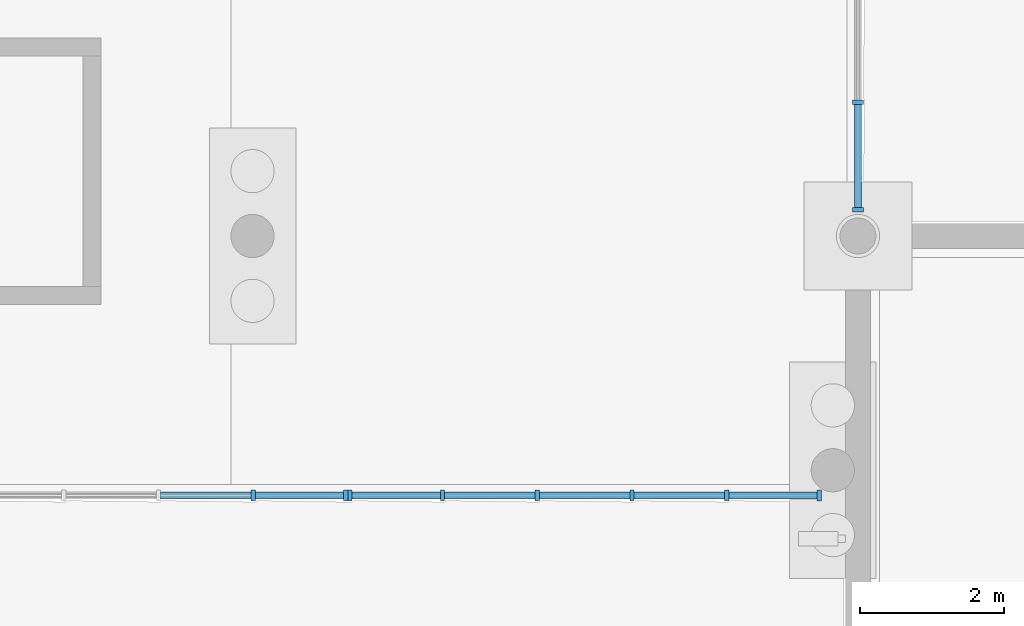
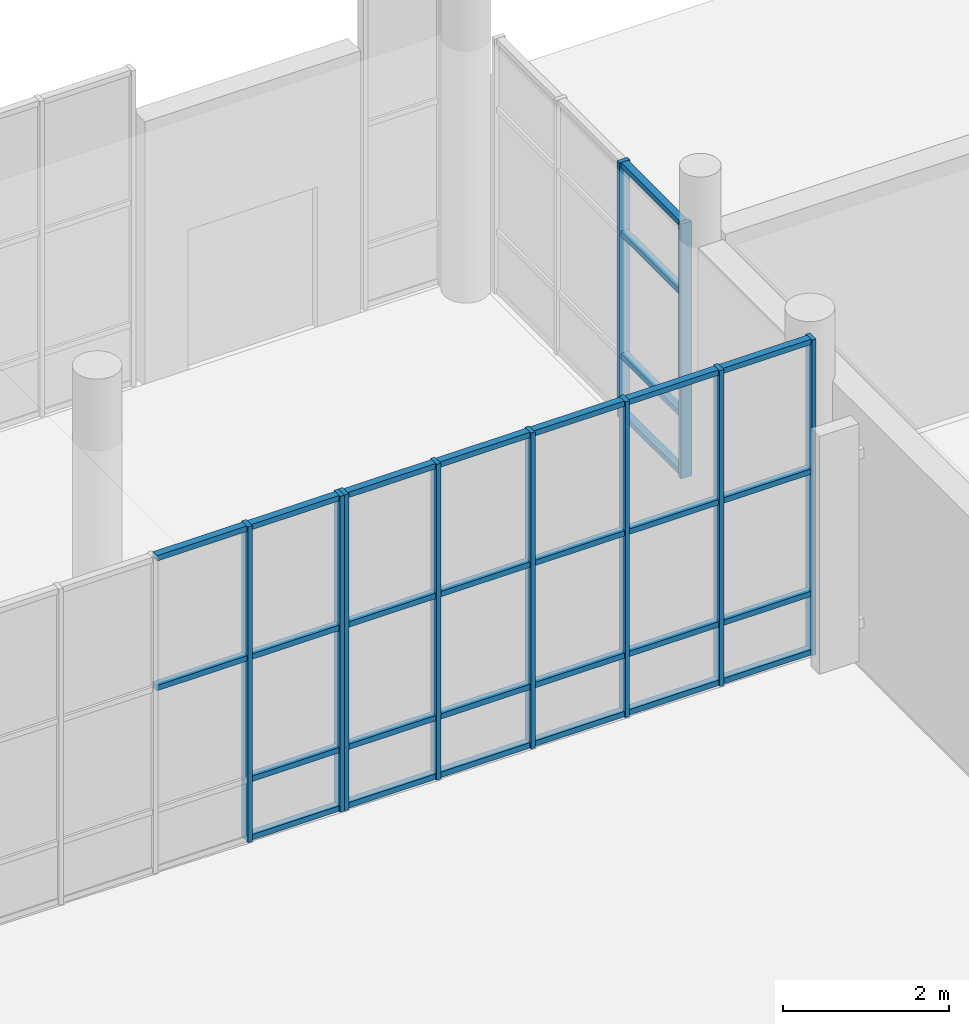
# One storey, part 34 of 110: 40 members, 3 elements without a shape of their own.
"""IFC4 building model written with IfcOpenShell, lengths in metres."""

from ifc_helpers import new_model, si_unit, direction, frame, origin, origin_2d, place, context, subcontext, project, spatial, rectangle, extrude, material, layer, layer_set, material_profile, profile_set, type_object, element, aggregate, save


model = new_model("IFC4")

# Units and contexts
model_context = context("Model", 3, precision=1e-05, world=origin(), true_north=direction((0.0, 1.0)))
body_context = subcontext(model_context, "Body", "Model", "MODEL_VIEW")
ifc_project = project(units=[si_unit("LENGTHUNIT", "METRE"), si_unit("AREAUNIT", "SQUARE_METRE"), si_unit("VOLUMEUNIT", "CUBIC_METRE"), si_unit("PLANEANGLEUNIT", "RADIAN"), si_unit("MASSUNIT", "GRAM", prefix="KILO")], contexts=[model_context])

# Site, building, storey
site_placement = place(None, origin())
site = spatial("IfcSite", under=ifc_project, at=site_placement, CompositionType="ELEMENT")
building_placement = place(site_placement, origin())
building = spatial("IfcBuilding", under=site, at=building_placement, Name="Larchfold Concert Hall", CompositionType="ELEMENT")
storey_placement = place(building_placement, origin())
storey = spatial("IfcBuildingStorey", under=building, at=storey_placement, Name="L00", CompositionType="ELEMENT", Elevation=0.0)

# Curtain wall, members
ifc_material_1 = material(Name="Anodised graphite aluminium curtain wall", Category="aluminium")
ifc_layer = layer(ifc_material_1, 0.14990234375)
ifc_layer_set = layer_set([ifc_layer], Name="Anodised graphite aluminium curtain wall")
curtain_wall_type = type_object("IfcCurtainWallType", Name="Curtain wall WG", PredefinedType="NOTDEFINED", material=ifc_layer_set)
curtain_wall_1_placement = place(storey_placement, origin())
curtain_wall_1 = element("IfcCurtainWall", 1, at=curtain_wall_1_placement, inside=storey, type_object=curtain_wall_type, Name="Curtain wall CW0093", PredefinedType="NOTDEFINED")
ifc_material_2 = material(Name="Anodised graphite aluminium mullion", Category="aluminium")
ifc_material_profile_1 = material_profile(ifc_material_2, rectangle(XDim=0.14990234375, YDim=0.06005859375, at=origin_2d()))
ifc_profile_set_1 = profile_set([ifc_material_profile_1], Name="Anodised graphite aluminium mullion")
member_type_1 = type_object("IfcMemberType", Name="Aluminium mullion 60x150", PredefinedType="MULLION", material=ifc_profile_set_1)
member_1_placement = place(storey_placement, frame((67.808349609375, 123.0, 0.0), z_axis=(0.0, 0.0, 1.0), x_axis=(0.0, 1.0, 0.0)))
member_1 = element("IfcMember", 2, at=member_1_placement, type_object=member_type_1, Name="CW0093 mullion 5", PredefinedType="MULLION", context=body_context, shape_type="SweptSolid", body=[
    extrude(rectangle(XDim=0.14990234375, YDim=0.06005859375, at=origin_2d()), origin(), (0.0, 0.0, 1.0), 4.64990234375),
])
member_2_placement = place(storey_placement, frame((69.09228515625, 123.0, 0.0), z_axis=(0.0, 0.0, 1.0), x_axis=(0.0, 1.0, 0.0)))
member_2 = element("IfcMember", 3, at=member_2_placement, type_object=member_type_1, Name="CW0093 mullion 6", PredefinedType="MULLION", context=body_context, shape_type="SweptSolid", body=[
    extrude(rectangle(XDim=0.14990234375, YDim=0.06005859375, at=origin_2d()), origin(), (0.0, 0.0, 1.0), 4.64990234375),
])

curtain_wall_2_placement = place(storey_placement, origin())
curtain_wall_2 = element("IfcCurtainWall", 4, at=curtain_wall_2_placement, inside=storey, type_object=curtain_wall_type, Name="Curtain wall CW0094", PredefinedType="NOTDEFINED")
member_3_placement = place(storey_placement, frame((69.15234375, 123.0, 0.0), z_axis=(0.0, 0.0, 1.0), x_axis=(0.0, 1.0, 0.0)))
member_3 = element("IfcMember", 5, at=member_3_placement, type_object=member_type_1, Name="CW0094 mullion 1", PredefinedType="MULLION", context=body_context, shape_type="SweptSolid", body=[
    extrude(rectangle(XDim=0.14990234375, YDim=0.06005859375, at=origin_2d()), origin(), (0.0, 0.0, 1.0), 4.64990234375),
])
member_4_placement = place(storey_placement, frame((70.436279296875, 123.0, 0.0), z_axis=(0.0, 0.0, 1.0), x_axis=(0.0, 1.0, 0.0)))
member_4 = element("IfcMember", 6, at=member_4_placement, type_object=member_type_1, Name="CW0094 mullion 2", PredefinedType="MULLION", context=body_context, shape_type="SweptSolid", body=[
    extrude(rectangle(XDim=0.14990234375, YDim=0.06005859375, at=origin_2d()), origin(), (0.0, 0.0, 1.0), 4.64990234375),
])
member_5_placement = place(storey_placement, frame((71.75048828125, 123.0, 0.0), z_axis=(0.0, 0.0, 1.0), x_axis=(0.0, 1.0, 0.0)))
member_5 = element("IfcMember", 7, at=member_5_placement, type_object=member_type_1, Name="CW0094 mullion 3", PredefinedType="MULLION", context=body_context, shape_type="SweptSolid", body=[
    extrude(rectangle(XDim=0.14990234375, YDim=0.06005859375, at=origin_2d()), origin(), (0.0, 0.0, 1.0), 4.64990234375),
])
member_6_placement = place(storey_placement, frame((73.064453125, 123.0, 0.0), z_axis=(0.0, 0.0, 1.0), x_axis=(0.0, 1.0, 0.0)))
member_6 = element("IfcMember", 8, at=member_6_placement, type_object=member_type_1, Name="CW0094 mullion 4", PredefinedType="MULLION", context=body_context, shape_type="SweptSolid", body=[
    extrude(rectangle(XDim=0.14990234375, YDim=0.06005859375, at=origin_2d()), origin(), (0.0, 0.0, 1.0), 4.64990234375),
])
member_7_placement = place(storey_placement, frame((74.378662109375, 123.0, 0.0), z_axis=(0.0, 0.0, 1.0), x_axis=(0.0, 1.0, 0.0)))
member_7 = element("IfcMember", 9, at=member_7_placement, type_object=member_type_1, Name="CW0094 mullion 5", PredefinedType="MULLION", context=body_context, shape_type="SweptSolid", body=[
    extrude(rectangle(XDim=0.14990234375, YDim=0.06005859375, at=origin_2d()), origin(), (0.0, 0.0, 1.0), 4.64990234375),
])
member_8_placement = place(storey_placement, frame((75.66259765625, 123.0, 0.0), z_axis=(0.0, 0.0, 1.0), x_axis=(0.0, 1.0, 0.0)))
member_8 = element("IfcMember", 10, at=member_8_placement, type_object=member_type_1, Name="CW0094 mullion 6", PredefinedType="MULLION", context=body_context, shape_type="SweptSolid", body=[
    extrude(rectangle(XDim=0.14990234375, YDim=0.06005859375, at=origin_2d()), origin(), (0.0, 0.0, 1.0), 4.64990234375),
])

curtain_wall_3_placement = place(storey_placement, origin())
curtain_wall_3 = element("IfcCurtainWall", 11, at=curtain_wall_3_placement, inside=storey, type_object=curtain_wall_type, Name="Curtain wall CW0095", PredefinedType="NOTDEFINED")
member_9_placement = place(storey_placement, frame((76.199951171875, 126.966064453125, 0.0), z_axis=(0.0, 0.0, 1.0), x_axis=(-1.0, 0.0, 0.0)))
member_9 = element("IfcMember", 12, at=member_9_placement, type_object=member_type_1, Name="CW0095 mullion 1", PredefinedType="MULLION", context=body_context, shape_type="SweptSolid", body=[
    extrude(rectangle(XDim=0.14990234375, YDim=0.06005859375, at=origin_2d()), origin(), (0.0, 0.0, 1.0), 3.75),
])
member_10_placement = place(storey_placement, frame((76.199951171875, 128.45458984375, 0.0), z_axis=(0.0, 0.0, 1.0), x_axis=(-1.0, 0.0, 0.0)))
member_10 = element("IfcMember", 13, at=member_10_placement, type_object=member_type_1, Name="CW0095 mullion 2", PredefinedType="MULLION", context=body_context, shape_type="SweptSolid", body=[
    extrude(rectangle(XDim=0.14990234375, YDim=0.06005859375, at=origin_2d()), origin(), (0.0, 0.0, 1.0), 3.75),
])

# Member
ifc_material_3 = material(Name="Anodised graphite aluminium transom", Category="aluminium")
ifc_material_profile_2 = material_profile(ifc_material_3, rectangle(XDim=0.10009765625, YDim=0.080078125, at=origin_2d()))
ifc_profile_set_2 = profile_set([ifc_material_profile_2], Name="Anodised graphite aluminium transom")
member_type_2 = type_object("IfcMemberType", Name="Aluminium transom 80x100", PredefinedType="USERDEFINED", material=ifc_profile_set_2)
member_11_placement = place(storey_placement, frame((66.524169921875, 123.0, 2.699951171875), z_axis=(1.0, 0.0, 0.0), x_axis=(0.0, 1.0, 0.0)))
member_11 = element("IfcMember", 14, at=member_11_placement, type_object=member_type_2, Name="CW0093 transom 4.3", ObjectType="TRANSOM", PredefinedType="USERDEFINED", context=body_context, shape_type="SweptSolid", body=[
    extrude(rectangle(XDim=0.10009765625, YDim=0.080078125, at=origin_2d()), origin(), (0.0, 0.0, 1.0), 1.254150390625),
])

member_12_placement = place(storey_placement, frame((66.524169921875, 123.0, 4.60986328125), z_axis=(1.0, 0.0, 0.0), x_axis=(0.0, 1.0, 0.0)))
member_12 = element("IfcMember", 15, at=member_12_placement, type_object=member_type_2, Name="CW0093 transom 4.4", ObjectType="TRANSOM", PredefinedType="USERDEFINED", context=body_context, shape_type="SweptSolid", body=[
    extrude(rectangle(XDim=0.10009765625, YDim=0.080078125, at=origin_2d()), origin(), (0.0, 0.0, 1.0), 1.254150390625),
])

member_13_placement = place(storey_placement, frame((67.83837890625, 123.0, 0.0400390625), z_axis=(1.0, 0.0, 0.0), x_axis=(0.0, 1.0, 0.0)))
member_13 = element("IfcMember", 16, at=member_13_placement, type_object=member_type_2, Name="CW0093 transom 5.1", ObjectType="TRANSOM", PredefinedType="USERDEFINED", context=body_context, shape_type="SweptSolid", body=[
    extrude(rectangle(XDim=0.10009765625, YDim=0.080078125, at=origin_2d()), origin(), (0.0, 0.0, 1.0), 1.223876953125),
])

member_14_placement = place(storey_placement, frame((67.83837890625, 123.0, 0.89990234375), z_axis=(1.0, 0.0, 0.0), x_axis=(0.0, 1.0, 0.0)))
member_14 = element("IfcMember", 17, at=member_14_placement, type_object=member_type_2, Name="CW0093 transom 5.2", ObjectType="TRANSOM", PredefinedType="USERDEFINED", context=body_context, shape_type="SweptSolid", body=[
    extrude(rectangle(XDim=0.10009765625, YDim=0.080078125, at=origin_2d()), origin(), (0.0, 0.0, 1.0), 1.223876953125),
])

member_15_placement = place(storey_placement, frame((67.83837890625, 123.0, 2.699951171875), z_axis=(1.0, 0.0, 0.0), x_axis=(0.0, 1.0, 0.0)))
member_15 = element("IfcMember", 18, at=member_15_placement, type_object=member_type_2, Name="CW0093 transom 5.3", ObjectType="TRANSOM", PredefinedType="USERDEFINED", context=body_context, shape_type="SweptSolid", body=[
    extrude(rectangle(XDim=0.10009765625, YDim=0.080078125, at=origin_2d()), origin(), (0.0, 0.0, 1.0), 1.223876953125),
])

member_16_placement = place(storey_placement, frame((67.83837890625, 123.0, 4.60986328125), z_axis=(1.0, 0.0, 0.0), x_axis=(0.0, 1.0, 0.0)))
member_16 = element("IfcMember", 19, at=member_16_placement, type_object=member_type_2, Name="CW0093 transom 5.4", ObjectType="TRANSOM", PredefinedType="USERDEFINED", context=body_context, shape_type="SweptSolid", body=[
    extrude(rectangle(XDim=0.10009765625, YDim=0.080078125, at=origin_2d()), origin(), (0.0, 0.0, 1.0), 1.223876953125),
])

aggregate(curtain_wall_1, [member_1, member_2, member_11, member_12, member_13, member_14, member_15, member_16])

member_17_placement = place(storey_placement, frame((69.182373046875, 123.0, 0.0400390625), z_axis=(1.0, 0.0, 0.0), x_axis=(0.0, 1.0, 0.0)))
member_17 = element("IfcMember", 20, at=member_17_placement, type_object=member_type_2, Name="CW0094 transom 1.1", ObjectType="TRANSOM", PredefinedType="USERDEFINED", context=body_context, shape_type="SweptSolid", body=[
    extrude(rectangle(XDim=0.10009765625, YDim=0.080078125, at=origin_2d()), origin(), (0.0, 0.0, 1.0), 1.22412109375),
])

member_18_placement = place(storey_placement, frame((69.182373046875, 123.0, 0.89990234375), z_axis=(1.0, 0.0, 0.0), x_axis=(0.0, 1.0, 0.0)))
member_18 = element("IfcMember", 21, at=member_18_placement, type_object=member_type_2, Name="CW0094 transom 1.2", ObjectType="TRANSOM", PredefinedType="USERDEFINED", context=body_context, shape_type="SweptSolid", body=[
    extrude(rectangle(XDim=0.10009765625, YDim=0.080078125, at=origin_2d()), origin(), (0.0, 0.0, 1.0), 1.22412109375),
])

member_19_placement = place(storey_placement, frame((69.182373046875, 123.0, 2.699951171875), z_axis=(1.0, 0.0, 0.0), x_axis=(0.0, 1.0, 0.0)))
member_19 = element("IfcMember", 22, at=member_19_placement, type_object=member_type_2, Name="CW0094 transom 1.3", ObjectType="TRANSOM", PredefinedType="USERDEFINED", context=body_context, shape_type="SweptSolid", body=[
    extrude(rectangle(XDim=0.10009765625, YDim=0.080078125, at=origin_2d()), origin(), (0.0, 0.0, 1.0), 1.22412109375),
])

member_20_placement = place(storey_placement, frame((69.182373046875, 123.0, 4.60986328125), z_axis=(1.0, 0.0, 0.0), x_axis=(0.0, 1.0, 0.0)))
member_20 = element("IfcMember", 23, at=member_20_placement, type_object=member_type_2, Name="CW0094 transom 1.4", ObjectType="TRANSOM", PredefinedType="USERDEFINED", context=body_context, shape_type="SweptSolid", body=[
    extrude(rectangle(XDim=0.10009765625, YDim=0.080078125, at=origin_2d()), origin(), (0.0, 0.0, 1.0), 1.22412109375),
])

member_21_placement = place(storey_placement, frame((70.46630859375, 123.0, 0.0400390625), z_axis=(1.0, 0.0, 0.0), x_axis=(0.0, 1.0, 0.0)))
member_21 = element("IfcMember", 24, at=member_21_placement, type_object=member_type_2, Name="CW0094 transom 2.1", ObjectType="TRANSOM", PredefinedType="USERDEFINED", context=body_context, shape_type="SweptSolid", body=[
    extrude(rectangle(XDim=0.10009765625, YDim=0.080078125, at=origin_2d()), origin(), (0.0, 0.0, 1.0), 1.254150390625),
])

member_22_placement = place(storey_placement, frame((70.46630859375, 123.0, 0.89990234375), z_axis=(1.0, 0.0, 0.0), x_axis=(0.0, 1.0, 0.0)))
member_22 = element("IfcMember", 25, at=member_22_placement, type_object=member_type_2, Name="CW0094 transom 2.2", ObjectType="TRANSOM", PredefinedType="USERDEFINED", context=body_context, shape_type="SweptSolid", body=[
    extrude(rectangle(XDim=0.10009765625, YDim=0.080078125, at=origin_2d()), origin(), (0.0, 0.0, 1.0), 1.254150390625),
])

member_23_placement = place(storey_placement, frame((70.46630859375, 123.0, 2.699951171875), z_axis=(1.0, 0.0, 0.0), x_axis=(0.0, 1.0, 0.0)))
member_23 = element("IfcMember", 26, at=member_23_placement, type_object=member_type_2, Name="CW0094 transom 2.3", ObjectType="TRANSOM", PredefinedType="USERDEFINED", context=body_context, shape_type="SweptSolid", body=[
    extrude(rectangle(XDim=0.10009765625, YDim=0.080078125, at=origin_2d()), origin(), (0.0, 0.0, 1.0), 1.254150390625),
])

member_24_placement = place(storey_placement, frame((70.46630859375, 123.0, 4.60986328125), z_axis=(1.0, 0.0, 0.0), x_axis=(0.0, 1.0, 0.0)))
member_24 = element("IfcMember", 27, at=member_24_placement, type_object=member_type_2, Name="CW0094 transom 2.4", ObjectType="TRANSOM", PredefinedType="USERDEFINED", context=body_context, shape_type="SweptSolid", body=[
    extrude(rectangle(XDim=0.10009765625, YDim=0.080078125, at=origin_2d()), origin(), (0.0, 0.0, 1.0), 1.254150390625),
])

member_25_placement = place(storey_placement, frame((71.780517578125, 123.0, 0.0400390625), z_axis=(1.0, 0.0, 0.0), x_axis=(0.0, 1.0, 0.0)))
member_25 = element("IfcMember", 28, at=member_25_placement, type_object=member_type_2, Name="CW0094 transom 3.1", ObjectType="TRANSOM", PredefinedType="USERDEFINED", context=body_context, shape_type="SweptSolid", body=[
    extrude(rectangle(XDim=0.10009765625, YDim=0.080078125, at=origin_2d()), origin(), (0.0, 0.0, 1.0), 1.25390625),
])

member_26_placement = place(storey_placement, frame((71.780517578125, 123.0, 0.89990234375), z_axis=(1.0, 0.0, 0.0), x_axis=(0.0, 1.0, 0.0)))
member_26 = element("IfcMember", 29, at=member_26_placement, type_object=member_type_2, Name="CW0094 transom 3.2", ObjectType="TRANSOM", PredefinedType="USERDEFINED", context=body_context, shape_type="SweptSolid", body=[
    extrude(rectangle(XDim=0.10009765625, YDim=0.080078125, at=origin_2d()), origin(), (0.0, 0.0, 1.0), 1.25390625),
])

member_27_placement = place(storey_placement, frame((71.780517578125, 123.0, 2.699951171875), z_axis=(1.0, 0.0, 0.0), x_axis=(0.0, 1.0, 0.0)))
member_27 = element("IfcMember", 30, at=member_27_placement, type_object=member_type_2, Name="CW0094 transom 3.3", ObjectType="TRANSOM", PredefinedType="USERDEFINED", context=body_context, shape_type="SweptSolid", body=[
    extrude(rectangle(XDim=0.10009765625, YDim=0.080078125, at=origin_2d()), origin(), (0.0, 0.0, 1.0), 1.25390625),
])

member_28_placement = place(storey_placement, frame((71.780517578125, 123.0, 4.60986328125), z_axis=(1.0, 0.0, 0.0), x_axis=(0.0, 1.0, 0.0)))
member_28 = element("IfcMember", 31, at=member_28_placement, type_object=member_type_2, Name="CW0094 transom 3.4", ObjectType="TRANSOM", PredefinedType="USERDEFINED", context=body_context, shape_type="SweptSolid", body=[
    extrude(rectangle(XDim=0.10009765625, YDim=0.080078125, at=origin_2d()), origin(), (0.0, 0.0, 1.0), 1.25390625),
])

member_29_placement = place(storey_placement, frame((73.094482421875, 123.0, 0.0400390625), z_axis=(1.0, 0.0, 0.0), x_axis=(0.0, 1.0, 0.0)))
member_29 = element("IfcMember", 32, at=member_29_placement, type_object=member_type_2, Name="CW0094 transom 4.1", ObjectType="TRANSOM", PredefinedType="USERDEFINED", context=body_context, shape_type="SweptSolid", body=[
    extrude(rectangle(XDim=0.10009765625, YDim=0.080078125, at=origin_2d()), origin(), (0.0, 0.0, 1.0), 1.254150390625),
])

member_30_placement = place(storey_placement, frame((73.094482421875, 123.0, 0.89990234375), z_axis=(1.0, 0.0, 0.0), x_axis=(0.0, 1.0, 0.0)))
member_30 = element("IfcMember", 33, at=member_30_placement, type_object=member_type_2, Name="CW0094 transom 4.2", ObjectType="TRANSOM", PredefinedType="USERDEFINED", context=body_context, shape_type="SweptSolid", body=[
    extrude(rectangle(XDim=0.10009765625, YDim=0.080078125, at=origin_2d()), origin(), (0.0, 0.0, 1.0), 1.254150390625),
])

member_31_placement = place(storey_placement, frame((73.094482421875, 123.0, 2.699951171875), z_axis=(1.0, 0.0, 0.0), x_axis=(0.0, 1.0, 0.0)))
member_31 = element("IfcMember", 34, at=member_31_placement, type_object=member_type_2, Name="CW0094 transom 4.3", ObjectType="TRANSOM", PredefinedType="USERDEFINED", context=body_context, shape_type="SweptSolid", body=[
    extrude(rectangle(XDim=0.10009765625, YDim=0.080078125, at=origin_2d()), origin(), (0.0, 0.0, 1.0), 1.254150390625),
])

member_32_placement = place(storey_placement, frame((73.094482421875, 123.0, 4.60986328125), z_axis=(1.0, 0.0, 0.0), x_axis=(0.0, 1.0, 0.0)))
member_32 = element("IfcMember", 35, at=member_32_placement, type_object=member_type_2, Name="CW0094 transom 4.4", ObjectType="TRANSOM", PredefinedType="USERDEFINED", context=body_context, shape_type="SweptSolid", body=[
    extrude(rectangle(XDim=0.10009765625, YDim=0.080078125, at=origin_2d()), origin(), (0.0, 0.0, 1.0), 1.254150390625),
])

member_33_placement = place(storey_placement, frame((74.408447265625, 123.0, 0.0400390625), z_axis=(1.0, 0.0, 0.0), x_axis=(0.0, 1.0, 0.0)))
member_33 = element("IfcMember", 36, at=member_33_placement, type_object=member_type_2, Name="CW0094 transom 5.1", ObjectType="TRANSOM", PredefinedType="USERDEFINED", context=body_context, shape_type="SweptSolid", body=[
    extrude(rectangle(XDim=0.10009765625, YDim=0.080078125, at=origin_2d()), origin(), (0.0, 0.0, 1.0), 1.22412109375),
])

member_34_placement = place(storey_placement, frame((74.408447265625, 123.0, 0.89990234375), z_axis=(1.0, 0.0, 0.0), x_axis=(0.0, 1.0, 0.0)))
member_34 = element("IfcMember", 37, at=member_34_placement, type_object=member_type_2, Name="CW0094 transom 5.2", ObjectType="TRANSOM", PredefinedType="USERDEFINED", context=body_context, shape_type="SweptSolid", body=[
    extrude(rectangle(XDim=0.10009765625, YDim=0.080078125, at=origin_2d()), origin(), (0.0, 0.0, 1.0), 1.22412109375),
])

member_35_placement = place(storey_placement, frame((74.408447265625, 123.0, 2.699951171875), z_axis=(1.0, 0.0, 0.0), x_axis=(0.0, 1.0, 0.0)))
member_35 = element("IfcMember", 38, at=member_35_placement, type_object=member_type_2, Name="CW0094 transom 5.3", ObjectType="TRANSOM", PredefinedType="USERDEFINED", context=body_context, shape_type="SweptSolid", body=[
    extrude(rectangle(XDim=0.10009765625, YDim=0.080078125, at=origin_2d()), origin(), (0.0, 0.0, 1.0), 1.22412109375),
])

member_36_placement = place(storey_placement, frame((74.408447265625, 123.0, 4.60986328125), z_axis=(1.0, 0.0, 0.0), x_axis=(0.0, 1.0, 0.0)))
member_36 = element("IfcMember", 39, at=member_36_placement, type_object=member_type_2, Name="CW0094 transom 5.4", ObjectType="TRANSOM", PredefinedType="USERDEFINED", context=body_context, shape_type="SweptSolid", body=[
    extrude(rectangle(XDim=0.10009765625, YDim=0.080078125, at=origin_2d()), origin(), (0.0, 0.0, 1.0), 1.22412109375),
])

aggregate(curtain_wall_2, [member_3, member_4, member_5, member_6, member_7, member_8, member_17, member_18, member_19, member_20, member_21, member_22, member_23, member_24, member_25, member_26, member_27, member_28, member_29, member_30, member_31, member_32, member_33, member_34, member_35, member_36])

member_37_placement = place(storey_placement, frame((76.199951171875, 126.99609375, 0.0400390625), z_axis=(0.0, 1.0, 0.0), x_axis=(-1.0, 0.0, 0.0)))
member_37 = element("IfcMember", 40, at=member_37_placement, type_object=member_type_2, Name="CW0095 transom 1.1", ObjectType="TRANSOM", PredefinedType="USERDEFINED", context=body_context, shape_type="SweptSolid", body=[
    extrude(rectangle(XDim=0.10009765625, YDim=0.080078125, at=origin_2d()), origin(), (0.0, 0.0, 1.0), 1.428466796875),
])

member_38_placement = place(storey_placement, frame((76.199951171875, 126.99609375, 0.89990234375), z_axis=(0.0, 1.0, 0.0), x_axis=(-1.0, 0.0, 0.0)))
member_38 = element("IfcMember", 41, at=member_38_placement, type_object=member_type_2, Name="CW0095 transom 1.2", ObjectType="TRANSOM", PredefinedType="USERDEFINED", context=body_context, shape_type="SweptSolid", body=[
    extrude(rectangle(XDim=0.10009765625, YDim=0.080078125, at=origin_2d()), origin(), (0.0, 0.0, 1.0), 1.428466796875),
])

member_39_placement = place(storey_placement, frame((76.199951171875, 126.99609375, 2.699951171875), z_axis=(0.0, 1.0, 0.0), x_axis=(-1.0, 0.0, 0.0)))
member_39 = element("IfcMember", 42, at=member_39_placement, type_object=member_type_2, Name="CW0095 transom 1.3", ObjectType="TRANSOM", PredefinedType="USERDEFINED", context=body_context, shape_type="SweptSolid", body=[
    extrude(rectangle(XDim=0.10009765625, YDim=0.080078125, at=origin_2d()), origin(), (0.0, 0.0, 1.0), 1.428466796875),
])

member_40_placement = place(storey_placement, frame((76.199951171875, 126.99609375, 3.7099609375), z_axis=(0.0, 1.0, 0.0), x_axis=(-1.0, 0.0, 0.0)))
member_40 = element("IfcMember", 43, at=member_40_placement, type_object=member_type_2, Name="CW0095 transom 1.4", ObjectType="TRANSOM", PredefinedType="USERDEFINED", context=body_context, shape_type="SweptSolid", body=[
    extrude(rectangle(XDim=0.10009765625, YDim=0.080078125, at=origin_2d()), origin(), (0.0, 0.0, 1.0), 1.428466796875),
])

aggregate(curtain_wall_3, [member_9, member_10, member_37, member_38, member_39, member_40])

save(model, "model.ifc")
